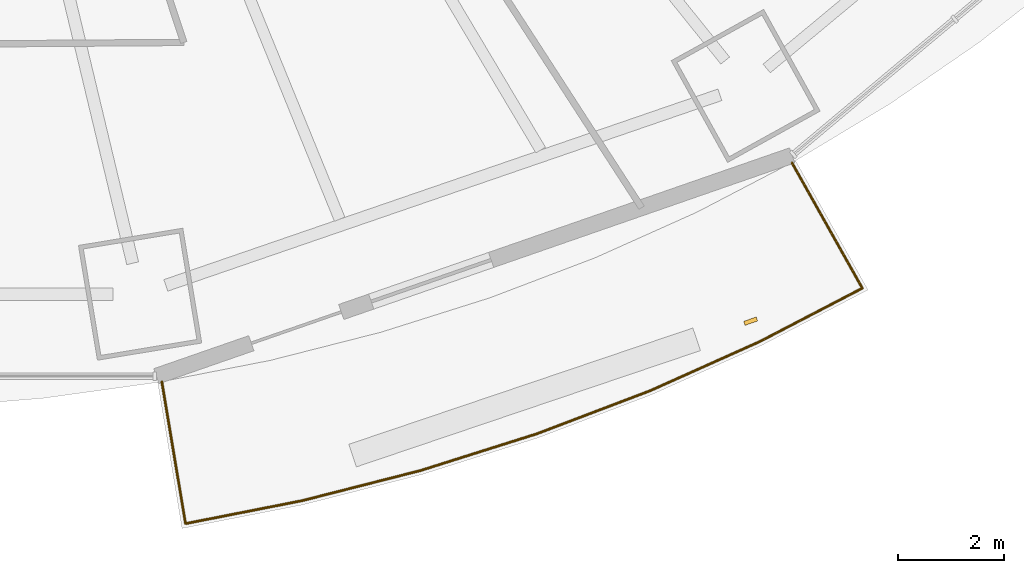
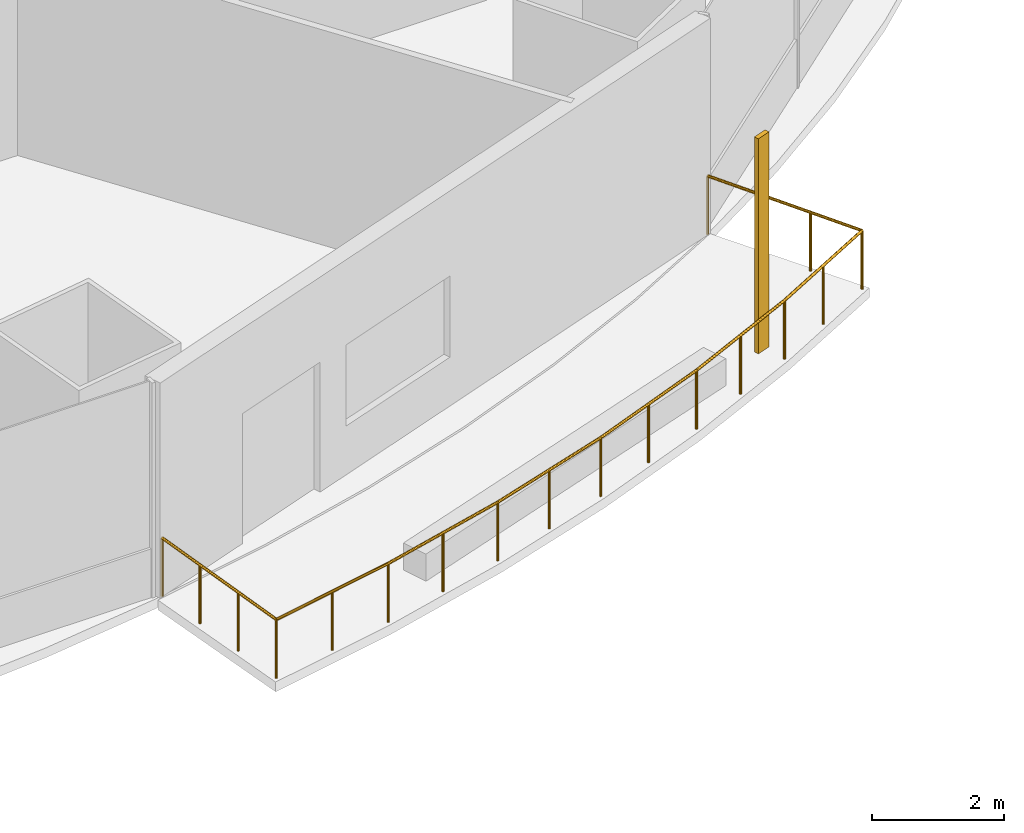
# One storey, part 17 of 20: 1 railing, 1 shading device.
"""IFC4 building model written with IfcOpenShell, lengths in metres."""

from ifc_helpers import new_model, si_unit, direction, frame, origin, origin_2d, place, context, subcontext, project, spatial, rectangle, circle, extrude, material, material_profile, profile_set, type_object, element, save


model = new_model("IFC4")

# Units and contexts
model_context = context("Model", 3, precision=1e-05, world=origin(), true_north=direction((0.0, 1.0)))
body_context = subcontext(model_context, "Body", "Model", "MODEL_VIEW")
ifc_project = project(units=[si_unit("LENGTHUNIT", "METRE"), si_unit("AREAUNIT", "SQUARE_METRE"), si_unit("VOLUMEUNIT", "CUBIC_METRE"), si_unit("PLANEANGLEUNIT", "RADIAN"), si_unit("MASSUNIT", "GRAM", prefix="KILO")], contexts=[model_context])

# Site, building, storey
site_placement = place(None, origin())
site = spatial("IfcSite", under=ifc_project, at=site_placement, CompositionType="ELEMENT")
building_placement = place(site_placement, origin())
building = spatial("IfcBuilding", under=site, at=building_placement, Name="Marenthal Gate Tower", CompositionType="ELEMENT")
storey_placement = place(building_placement, frame((0.0, 0.0, 132.60009765625)))
storey = spatial("IfcBuildingStorey", under=building, at=storey_placement, Name="L28", CompositionType="ELEMENT", Elevation=132.60009765625)

# Railing
ifc_material_1 = material(Name="Stainless steel", Category="steel")
railing_type = type_object("IfcRailingType", Name="Balcony guard 1100", PredefinedType="GUARDRAIL", material=ifc_material_1)
railing_placement = place(storey_placement, frame((18.520751953125, -23.38427734375, 0.0)))
element("IfcRailing", 1, at=railing_placement, inside=storey, type_object=railing_type, Name="Balcony guard L28 bay 13", PredefinedType="GUARDRAIL", context=body_context, shape_type="SweptSolid", body=[
    extrude(circle(Radius=0.02392578125, at=origin_2d()), frame((0.0, 0.0, 1.076171875), z_axis=(0.489304532784, -0.871988782196, -0.014718624977), x_axis=(0.872083250464, 0.489357542356, 0.0)), (0.0, 0.0, 1.0), 2.72021484375),
    extrude(circle(Radius=0.02392578125, at=origin_2d()), frame((1.3310546875, -2.3720703125, 1.0361328125), z_axis=(-0.887053580422, -0.461666487261, 0.0), x_axis=(0.461666487261, -0.887053580422, 0.0)), (0.0, 0.0, 1.0), 2.180419921875),
    extrude(circle(Radius=0.02392578125, at=origin_2d()), frame((-0.60302734375, -3.378662109375, 1.0361328125), z_axis=(-0.912426484208, -0.409240651591, 0.0), x_axis=(0.409240651591, -0.912426484208, 0.0)), (0.0, 0.0, 1.0), 2.276611328125),
    extrude(circle(Radius=0.02392578125, at=origin_2d()), frame((-2.68017578125, -4.310302734375, 1.0361328125), z_axis=(-0.934725540452, -0.355370460261, 0.0), x_axis=(0.355370460261, -0.934725540452, 0.0)), (0.0, 0.0, 1.0), 2.291259765625),
    extrude(circle(Radius=0.02392578125, at=origin_2d()), frame((-4.82177734375, -5.12451171875, 1.0361328125), z_axis=(-0.953555439672, -0.301217568332, 0.0), x_axis=(0.301217568332, -0.953555439672, 0.0)), (0.0, 0.0, 1.0), 2.30419921875),
    extrude(circle(Radius=0.02392578125, at=origin_2d()), frame((-7.01904296875, -5.818603515625, 1.0361328125), z_axis=(-0.969110463154, -0.246627067057, 0.0), x_axis=(0.246627067057, -0.969110463154, 0.0)), (0.0, 0.0, 1.0), 2.3154296875),
    extrude(circle(Radius=0.02392578125, at=origin_2d()), frame((-9.262939453125, -6.3896484375, 1.0361328125), z_axis=(-0.981190742026, -0.193040741199, 0.0), x_axis=(0.193040741199, -0.981190742026, 0.0)), (0.0, 0.0, 1.0), 2.244873046875),
    extrude(circle(Radius=0.02392578125, at=origin_2d()), frame((-11.465576171875, -6.822998046875, 1.0361328125), z_axis=(-0.164774109377, 0.986221507592, 0.014718384498), x_axis=(-0.986328347949, -0.164791959854, 0.0)), (0.0, 0.0, 1.0), 2.720458984375),
    extrude(circle(Radius=0.02099609375, at=origin_2d()), origin(), (0.0, 0.0, 1.0), 1.052001953125),
    extrude(circle(Radius=0.02099609375, at=origin_2d()), frame((0.443603515625, -0.790771484375, -0.013427734375)), (0.0, 0.0, 1.0), 1.052001953125),
    extrude(circle(Radius=0.02099609375, at=origin_2d()), frame((0.887451171875, -1.581298828125, -0.026611328125)), (0.0, 0.0, 1.0), 1.052001953125),
    extrude(circle(Radius=0.02099609375, at=origin_2d()), frame((1.3310546875, -2.3720703125, -0.0400390625)), (0.0, 0.0, 1.0), 1.052001953125),
    extrude(circle(Radius=0.02099609375, at=origin_2d()), frame((0.364013671875, -2.87548828125, -0.0400390625)), (0.0, 0.0, 1.0), 1.052001953125),
    extrude(circle(Radius=0.02099609375, at=origin_2d()), frame((-0.60302734375, -3.378662109375, -0.0400390625)), (0.0, 0.0, 1.0), 1.052001953125),
    extrude(circle(Radius=0.02099609375, at=origin_2d()), frame((-1.6416015625, -3.844482421875, -0.0400390625)), (0.0, 0.0, 1.0), 1.052001953125),
    extrude(circle(Radius=0.02099609375, at=origin_2d()), frame((-2.68017578125, -4.310302734375, -0.0400390625)), (0.0, 0.0, 1.0), 1.052001953125),
    extrude(circle(Radius=0.02099609375, at=origin_2d()), frame((-3.7509765625, -4.71728515625, -0.0400390625)), (0.0, 0.0, 1.0), 1.052001953125),
    extrude(circle(Radius=0.02099609375, at=origin_2d()), frame((-4.82177734375, -5.12451171875, -0.0400390625)), (0.0, 0.0, 1.0), 1.052001953125),
    extrude(circle(Radius=0.02099609375, at=origin_2d()), frame((-5.92041015625, -5.4716796875, -0.0400390625)), (0.0, 0.0, 1.0), 1.052001953125),
    extrude(circle(Radius=0.02099609375, at=origin_2d()), frame((-7.01904296875, -5.818603515625, -0.0400390625)), (0.0, 0.0, 1.0), 1.052001953125),
    extrude(circle(Radius=0.02099609375, at=origin_2d()), frame((-8.14111328125, -6.10400390625, -0.0400390625)), (0.0, 0.0, 1.0), 1.052001953125),
    extrude(circle(Radius=0.02099609375, at=origin_2d()), frame((-9.262939453125, -6.3896484375, -0.0400390625)), (0.0, 0.0, 1.0), 1.052001953125),
    extrude(circle(Radius=0.02099609375, at=origin_2d()), frame((-10.3642578125, -6.6064453125, -0.0400390625)), (0.0, 0.0, 1.0), 1.052001953125),
    extrude(circle(Radius=0.02099609375, at=origin_2d()), frame((-11.465576171875, -6.822998046875, -0.0400390625)), (0.0, 0.0, 1.0), 1.052001953125),
    extrude(circle(Radius=0.02099609375, at=origin_2d()), frame((-11.614990234375, -5.9287109375, -0.026611328125)), (0.0, 0.0, 1.0), 1.052001953125),
    extrude(circle(Radius=0.02099609375, at=origin_2d()), frame((-11.764404296875, -5.034423828125, -0.013427734375)), (0.0, 0.0, 1.0), 1.052001953125),
    extrude(circle(Radius=0.02099609375, at=origin_2d()), frame((-11.913818359375, -4.14013671875, 0.0)), (0.0, 0.0, 1.0), 1.052001953125),
])

# Shading device
ifc_material_2 = material(Name="Terracotta", Category="masonry")
ifc_material_profile = material_profile(ifc_material_2, rectangle(XDim=0.25, YDim=0.080078125, at=origin_2d()), Name="Terracotta baguette 250x80")
ifc_profile_set = profile_set([ifc_material_profile], Name="Terracotta")
shading_device_type = type_object("IfcShadingDeviceType", Name="Terracotta BAGUETTE SCREEN 250x80", PredefinedType="USERDEFINED", material=ifc_profile_set)
shading_device_placement = place(storey_placement, frame((17.740478515625, -26.37939453125, -0.0400390625), z_axis=(0.0, 0.0, 1.0), x_axis=(0.944551667682, 0.328362828405, 0.0)))
element("IfcShadingDevice", 2, at=shading_device_placement, inside=storey, type_object=shading_device_type, Name="Terracotta BAGUETTE L28 bay 13R", ObjectType="BAGUETTE SCREEN", PredefinedType="USERDEFINED", context=body_context, shape_type="SweptSolid", body=[
    extrude(rectangle(XDim=0.25, YDim=0.080078125, at=origin_2d()), origin(), (0.0, 0.0, 1.0), 3.969970703125),
])

save(model, "model.ifc")
